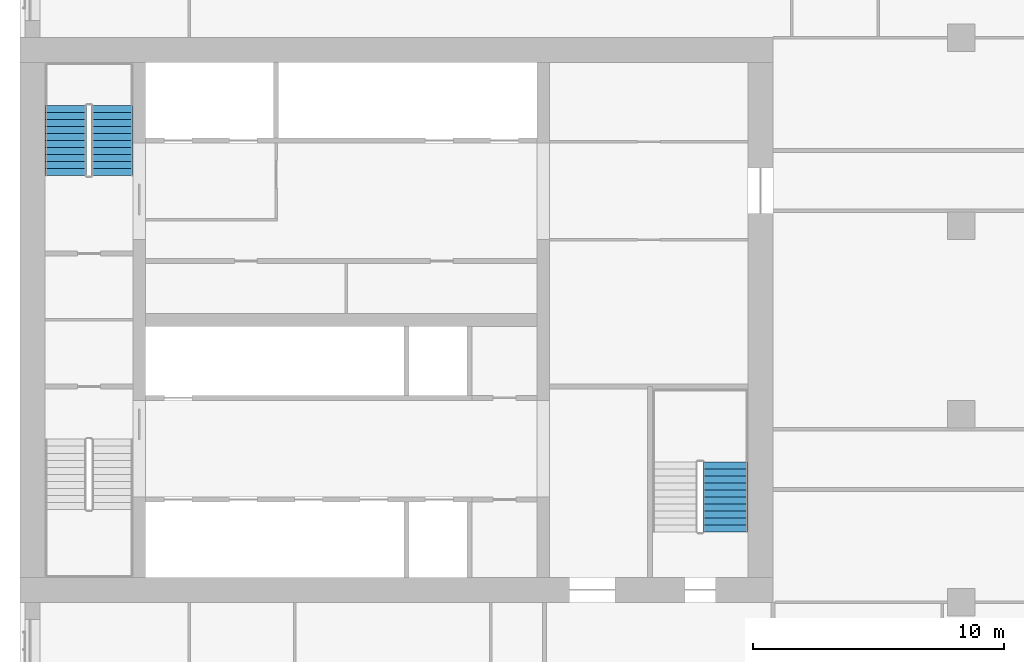
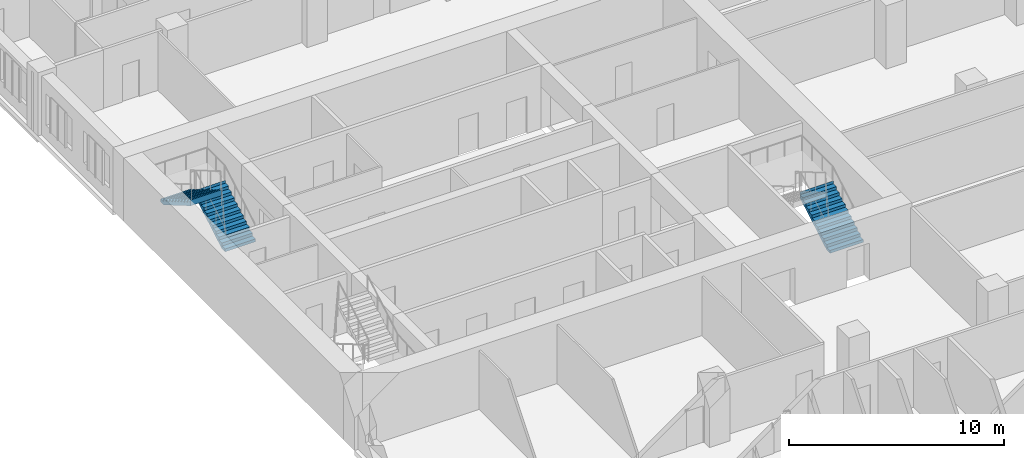
# One storey, part 13 of 14: 3 stair flights, 2 elements without a shape of their own.
"""IFC4 building model written with IfcOpenShell, lengths in metres."""

from ifc_helpers import new_model, si_unit, direction, frame, origin, place, context, subcontext, project, spatial, polyline, outline, extrude, material, type_object, element, aggregate, save


model = new_model("IFC4")

# Units and contexts
model_context = context("Model", 3, precision=1e-05, world=origin(), true_north=direction((0.0, 1.0)))
body_context = subcontext(model_context, "Body", "Model", "MODEL_VIEW")
ifc_project = project(units=[si_unit("LENGTHUNIT", "METRE"), si_unit("AREAUNIT", "SQUARE_METRE"), si_unit("VOLUMEUNIT", "CUBIC_METRE"), si_unit("PLANEANGLEUNIT", "RADIAN"), si_unit("MASSUNIT", "GRAM", prefix="KILO")], contexts=[model_context])

# Site, building, storey
site_placement = place(None, origin())
site = spatial("IfcSite", under=ifc_project, at=site_placement, CompositionType="ELEMENT")
building_placement = place(site_placement, origin())
building = spatial("IfcBuilding", under=site, at=building_placement, Name="Tamorin Gate", CompositionType="ELEMENT")
storey_placement = place(building_placement, frame((0.0, 0.0, 89.89990234375)))
storey = spatial("IfcBuildingStorey", under=building, at=storey_placement, Name="L21", CompositionType="ELEMENT", Elevation=89.89990234375)

# Stair, stair flights
ifc_material = material(Name="Concrete C40/50", Category="concrete")
stair_type = type_object("IfcStairType", Name="Exit stair", PredefinedType="HALF_TURN_STAIR", material=ifc_material)
stair_1_placement = place(storey_placement, origin())
stair_1 = element("IfcStair", 1, at=stair_1_placement, inside=storey, type_object=stair_type, Name="L21 stair ST2", PredefinedType="HALF_TURN_STAIR")
stair_flight_type = type_object("IfcStairFlightType", Name="Exit stair flight", PredefinedType="STRAIGHT", material=ifc_material)
stair_flight_1_placement = place(storey_placement, frame((33.675048828125, 77.0, 0.0), z_axis=(0.0, 0.0, 1.0), x_axis=(0.0, 1.0, 0.0)))
stair_flight_1 = element("IfcStairFlight", 2, at=stair_flight_1_placement, type_object=stair_flight_type, Name="ST2 flight 1", NumberOfRisers=11, NumberOfTreads=10, PredefinedType="STRAIGHT", RiserHeight=0.163636364, TreadLength=0.28, context=body_context, shape_type="SweptSolid", body=[
    extrude(outline(polyline([(-0.00048828125, 0.0), (-0.00048828125, 0.001708984375), (-0.00048828125, 0.003173828125), (-0.00048828125, 0.0048828125), (-0.00048828125, 0.006591796875), (-0.00048828125, 0.008056640625), (-0.00048828125, 0.009765625), (-0.00048828125, 0.01123046875), (-0.00048828125, 0.012939453125), (-0.00048828125, 0.0146484375), (-0.00048828125, 0.01611328125), (-0.00048828125, 0.017822265625), (-0.00048828125, 0.01953125), (-0.00048828125, 0.02099609375), (-0.00048828125, 0.022705078125), (-0.00048828125, 0.0244140625), (-0.00048828125, 0.02587890625), (-0.00048828125, 0.027587890625), (-0.00048828125, 0.029052734375), (-0.00048828125, 0.03076171875), (-0.00048828125, 0.032470703125), (-0.00048828125, 0.033935546875), (-0.00048828125, 0.03564453125), (-0.00048828125, 0.037353515625), (-0.00048828125, 0.038818359375), (-0.00048828125, 0.04052734375), (-0.00048828125, 0.042236328125), (-0.00048828125, 0.043701171875), (-0.00048828125, 0.04541015625), (-0.00048828125, 0.046875), (-0.00048828125, 0.048583984375), (-0.00048828125, 0.05029296875), (-0.00048828125, 0.0517578125), (-0.00048828125, 0.053466796875), (-0.00048828125, 0.05517578125), (-0.00048828125, 0.056640625), (-0.00048828125, 0.058349609375), (-0.00048828125, 0.06005859375), (-0.00048828125, 0.0615234375), (-0.00048828125, 0.063232421875), (-0.00048828125, 0.064697265625), (-0.00048828125, 0.06640625), (-0.00048828125, 0.068115234375), (-0.00048828125, 0.069580078125), (-0.00048828125, 0.0712890625), (-0.00048828125, 0.072998046875), (-0.00048828125, 0.074462890625), (-0.00048828125, 0.076171875), (-0.00048828125, 0.077880859375), (-0.00048828125, 0.079345703125), (-0.00048828125, 0.0810546875), (-0.00048828125, 0.08251953125), (-0.00048828125, 0.084228515625), (-0.00048828125, 0.0859375), (-0.00048828125, 0.08740234375), (-0.00048828125, 0.089111328125), (-0.00048828125, 0.0908203125), (-0.00048828125, 0.09228515625), (-0.00048828125, 0.093994140625), (-0.00048828125, 0.095703125), (-0.00048828125, 0.09716796875), (-0.00048828125, 0.098876953125), (-0.00048828125, 0.100341796875), (-0.00048828125, 0.10205078125), (-0.00048828125, 0.103759765625), (-0.00048828125, 0.105224609375), (-0.00048828125, 0.10693359375), (-0.00048828125, 0.108642578125), (-0.00048828125, 0.110107421875), (-0.00048828125, 0.11181640625), (-0.00048828125, 0.113525390625), (-0.00048828125, 0.114990234375), (-0.00048828125, 0.11669921875), (-0.00048828125, 0.1181640625), (-0.00048828125, 0.119873046875), (-0.00048828125, 0.12158203125), (-0.00048828125, 0.123046875), (-0.00048828125, 0.124755859375), (-0.00048828125, 0.12646484375), (-0.00048828125, 0.1279296875), (-0.00048828125, 0.129638671875), (-0.00048828125, 0.13134765625), (-0.00048828125, 0.1328125), (-0.00048828125, 0.134521484375), (-0.00048828125, 0.135986328125), (-0.00048828125, 0.1376953125), (-0.00048828125, 0.139404296875), (-0.00048828125, 0.140869140625), (-0.00048828125, 0.142578125), (-0.00048828125, 0.144287109375), (-0.00048828125, 0.145751953125), (-0.00048828125, 0.1474609375), (-0.00048828125, 0.149169921875), (-0.00048828125, 0.150634765625), (-0.00048828125, 0.15234375), (-0.00048828125, 0.15380859375), (-0.00048828125, 0.155517578125), (-0.00048828125, 0.1572265625), (-0.00048828125, 0.15869140625), (-0.00048828125, 0.160400390625), (-0.00048828125, 0.162109375), (-0.00048828125, 0.16357421875), (0.280029296875, 0.16357421875), (0.280029296875, 0.327392578125), (0.56005859375, 0.327392578125), (0.56005859375, 0.490966796875), (0.840087890625, 0.490966796875), (0.840087890625, 0.654541015625), (1.1201171875, 0.654541015625), (1.1201171875, 0.818115234375), (1.39990234375, 0.818115234375), (1.39990234375, 0.98193359375), (1.679931640625, 0.98193359375), (1.679931640625, 1.1455078125), (1.9599609375, 1.1455078125), (1.9599609375, 1.30908203125), (2.239990234375, 1.30908203125), (2.239990234375, 1.47265625), (2.52001953125, 1.47265625), (2.52001953125, 1.636474609375), (2.800048828125, 1.636474609375), (2.800048828125, 1.800048828125), (2.800537109375, 1.800048828125), (2.800537109375, 1.796630859375), (2.800537109375, 1.793212890625), (2.800537109375, 1.7900390625), (2.800537109375, 1.78662109375), (2.800537109375, 1.783203125), (2.800537109375, 1.780029296875), (2.800537109375, 1.776611328125), (2.800537109375, 1.773193359375), (2.800537109375, 1.77001953125), (2.800537109375, 1.7666015625), (2.800537109375, 1.76318359375), (2.800537109375, 1.760009765625), (2.800537109375, 1.756591796875), (2.800537109375, 1.753173828125), (2.800537109375, 1.75), (2.800537109375, 1.74658203125), (2.800537109375, 1.7431640625), (2.800537109375, 1.739990234375), (2.800537109375, 1.736572265625), (2.800537109375, 1.733154296875), (2.800537109375, 1.72998046875), (2.800537109375, 1.7265625), (2.800537109375, 1.72314453125), (2.800537109375, 1.719970703125), (2.800537109375, 1.716552734375), (2.800537109375, 1.713134765625), (2.800537109375, 1.7099609375), (2.800537109375, 1.70654296875), (2.800537109375, 1.703125), (2.800537109375, 1.69970703125), (2.800537109375, 1.696533203125), (2.800537109375, 1.693115234375), (2.800537109375, 1.689697265625), (2.800537109375, 1.6865234375), (2.800537109375, 1.68310546875), (2.800537109375, 1.6796875), (2.800537109375, 1.676513671875), (2.800537109375, 1.673095703125), (2.800537109375, 1.669677734375), (2.800537109375, 1.66650390625), (2.800537109375, 1.6630859375), (2.800537109375, 1.65966796875), (2.800537109375, 1.656494140625), (2.800537109375, 1.653076171875), (2.800537109375, 1.649658203125), (2.800537109375, 1.646484375), (2.800537109375, 1.64306640625), (2.800537109375, 1.6396484375), (2.800537109375, 1.636474609375), (2.800537109375, 1.633056640625), (2.800537109375, 1.629638671875), (2.800537109375, 1.62646484375), (2.800537109375, 1.623046875), (2.800537109375, 1.61962890625), (2.800537109375, 1.616455078125), (2.800537109375, 1.613037109375), (2.800537109375, 1.609619140625), (2.800537109375, 1.6064453125), (2.800537109375, 1.60302734375), (2.800537109375, 1.599609375), (2.800537109375, 1.59619140625), (2.800537109375, 1.593017578125), (2.800537109375, 1.589599609375), (2.800537109375, 1.586181640625), (2.800537109375, 1.5830078125), (2.800537109375, 1.57958984375), (2.800537109375, 1.576171875), (2.800537109375, 1.572998046875), (2.800537109375, 1.569580078125), (2.800537109375, 1.566162109375), (2.800537109375, 1.56298828125), (2.800537109375, 1.5595703125), (2.800537109375, 1.55615234375), (2.800537109375, 1.552978515625), (2.800537109375, 1.549560546875), (2.800537109375, 1.546142578125), (2.800537109375, 1.54296875), (2.800537109375, 1.53955078125), (2.800537109375, 1.5361328125), (2.800537109375, 1.532958984375), (2.800537109375, 1.529541015625), (2.800537109375, 1.526123046875), (2.800537109375, 1.52294921875), (2.800537109375, 1.51953125), (2.800537109375, 1.51611328125), (2.800537109375, 1.512939453125), (2.800537109375, 1.509521484375), (2.800537109375, 1.506103515625), (2.800537109375, 1.5029296875), (2.800537109375, 1.49951171875), (2.800537109375, 1.49609375), (2.800537109375, 1.49267578125), (2.800537109375, 1.489501953125), (2.800537109375, 1.486083984375), (2.800537109375, 1.482666015625), (2.800537109375, 1.4794921875), (2.800537109375, 1.47607421875), (2.800537109375, 1.47265625), (2.800537109375, 1.469482421875), (2.800537109375, 1.466064453125), (2.800537109375, 1.462646484375), (2.800048828125, 1.462646484375), (0.297119140625, 0.0), (-0.00048828125, 0.0)])), frame((0.0, 0.824951171875, 0.0), z_axis=(0.0, -1.0, 0.0), x_axis=(1.0, 0.0, 0.0)), (0.0, 0.0, 1.0), 1.64990234375),
])
stair_flight_2_placement = place(storey_placement, frame((31.824951171875, 79.800048828125, 1.800048828125), z_axis=(0.0, 0.0, 1.0), x_axis=(0.0, -1.0, 0.0)))
stair_flight_2 = element("IfcStairFlight", 3, at=stair_flight_2_placement, type_object=stair_flight_type, Name="ST2 flight 2", NumberOfRisers=11, NumberOfTreads=10, PredefinedType="STRAIGHT", RiserHeight=0.163636364, TreadLength=0.28, context=body_context, shape_type="SweptSolid", body=[
    extrude(outline(polyline([(-0.00048828125, 0.0), (-0.00048828125, 0.001708984375), (-0.00048828125, 0.003173828125), (-0.00048828125, 0.0048828125), (-0.00048828125, 0.006591796875), (-0.00048828125, 0.008056640625), (-0.00048828125, 0.009765625), (-0.00048828125, 0.01123046875), (-0.00048828125, 0.012939453125), (-0.00048828125, 0.0146484375), (-0.00048828125, 0.01611328125), (-0.00048828125, 0.017822265625), (-0.00048828125, 0.01953125), (-0.00048828125, 0.02099609375), (-0.00048828125, 0.022705078125), (-0.00048828125, 0.0244140625), (-0.00048828125, 0.02587890625), (-0.00048828125, 0.027587890625), (-0.00048828125, 0.029052734375), (-0.00048828125, 0.03076171875), (-0.00048828125, 0.032470703125), (-0.00048828125, 0.033935546875), (-0.00048828125, 0.03564453125), (-0.00048828125, 0.037353515625), (-0.00048828125, 0.038818359375), (-0.00048828125, 0.04052734375), (-0.00048828125, 0.042236328125), (-0.00048828125, 0.043701171875), (-0.00048828125, 0.04541015625), (-0.00048828125, 0.046875), (-0.00048828125, 0.048583984375), (-0.00048828125, 0.05029296875), (-0.00048828125, 0.0517578125), (-0.00048828125, 0.053466796875), (-0.00048828125, 0.05517578125), (-0.00048828125, 0.056640625), (-0.00048828125, 0.058349609375), (-0.00048828125, 0.06005859375), (-0.00048828125, 0.0615234375), (-0.00048828125, 0.063232421875), (-0.00048828125, 0.064697265625), (-0.00048828125, 0.06640625), (-0.00048828125, 0.068115234375), (-0.00048828125, 0.069580078125), (-0.00048828125, 0.0712890625), (-0.00048828125, 0.072998046875), (-0.00048828125, 0.074462890625), (-0.00048828125, 0.076171875), (-0.00048828125, 0.077880859375), (-0.00048828125, 0.079345703125), (-0.00048828125, 0.0810546875), (-0.00048828125, 0.08251953125), (-0.00048828125, 0.084228515625), (-0.00048828125, 0.0859375), (-0.00048828125, 0.08740234375), (-0.00048828125, 0.089111328125), (-0.00048828125, 0.0908203125), (-0.00048828125, 0.09228515625), (-0.00048828125, 0.093994140625), (-0.00048828125, 0.095703125), (-0.00048828125, 0.09716796875), (-0.00048828125, 0.098876953125), (-0.00048828125, 0.100341796875), (-0.00048828125, 0.10205078125), (-0.00048828125, 0.103759765625), (-0.00048828125, 0.105224609375), (-0.00048828125, 0.10693359375), (-0.00048828125, 0.108642578125), (-0.00048828125, 0.110107421875), (-0.00048828125, 0.11181640625), (-0.00048828125, 0.113525390625), (-0.00048828125, 0.114990234375), (-0.00048828125, 0.11669921875), (-0.00048828125, 0.1181640625), (-0.00048828125, 0.119873046875), (-0.00048828125, 0.12158203125), (-0.00048828125, 0.123046875), (-0.00048828125, 0.124755859375), (-0.00048828125, 0.12646484375), (-0.00048828125, 0.1279296875), (-0.00048828125, 0.129638671875), (-0.00048828125, 0.13134765625), (-0.00048828125, 0.1328125), (-0.00048828125, 0.134521484375), (-0.00048828125, 0.135986328125), (-0.00048828125, 0.1376953125), (-0.00048828125, 0.139404296875), (-0.00048828125, 0.140869140625), (-0.00048828125, 0.142578125), (-0.00048828125, 0.144287109375), (-0.00048828125, 0.145751953125), (-0.00048828125, 0.1474609375), (-0.00048828125, 0.149169921875), (-0.00048828125, 0.150634765625), (-0.00048828125, 0.15234375), (-0.00048828125, 0.15380859375), (-0.00048828125, 0.155517578125), (-0.00048828125, 0.1572265625), (-0.00048828125, 0.15869140625), (-0.00048828125, 0.160400390625), (-0.00048828125, 0.162109375), (-0.00048828125, 0.16357421875), (0.280029296875, 0.16357421875), (0.280029296875, 0.327392578125), (0.56005859375, 0.327392578125), (0.56005859375, 0.490966796875), (0.840087890625, 0.490966796875), (0.840087890625, 0.654541015625), (1.1201171875, 0.654541015625), (1.1201171875, 0.818115234375), (1.39990234375, 0.818115234375), (1.39990234375, 0.98193359375), (1.679931640625, 0.98193359375), (1.679931640625, 1.1455078125), (1.9599609375, 1.1455078125), (1.9599609375, 1.30908203125), (2.239990234375, 1.30908203125), (2.239990234375, 1.47265625), (2.52001953125, 1.47265625), (2.52001953125, 1.636474609375), (2.800048828125, 1.636474609375), (2.800048828125, 1.800048828125), (2.800537109375, 1.800048828125), (2.800537109375, 1.796630859375), (2.800537109375, 1.793212890625), (2.800537109375, 1.7900390625), (2.800537109375, 1.78662109375), (2.800537109375, 1.783203125), (2.800537109375, 1.780029296875), (2.800537109375, 1.776611328125), (2.800537109375, 1.773193359375), (2.800537109375, 1.77001953125), (2.800537109375, 1.7666015625), (2.800537109375, 1.76318359375), (2.800537109375, 1.760009765625), (2.800537109375, 1.756591796875), (2.800537109375, 1.753173828125), (2.800537109375, 1.75), (2.800537109375, 1.74658203125), (2.800537109375, 1.7431640625), (2.800537109375, 1.739990234375), (2.800537109375, 1.736572265625), (2.800537109375, 1.733154296875), (2.800537109375, 1.72998046875), (2.800537109375, 1.7265625), (2.800537109375, 1.72314453125), (2.800537109375, 1.719970703125), (2.800537109375, 1.716552734375), (2.800537109375, 1.713134765625), (2.800537109375, 1.7099609375), (2.800537109375, 1.70654296875), (2.800537109375, 1.703125), (2.800537109375, 1.69970703125), (2.800537109375, 1.696533203125), (2.800537109375, 1.693115234375), (2.800537109375, 1.689697265625), (2.800537109375, 1.6865234375), (2.800537109375, 1.68310546875), (2.800537109375, 1.6796875), (2.800537109375, 1.676513671875), (2.800537109375, 1.673095703125), (2.800537109375, 1.669677734375), (2.800537109375, 1.66650390625), (2.800537109375, 1.6630859375), (2.800537109375, 1.65966796875), (2.800537109375, 1.656494140625), (2.800537109375, 1.653076171875), (2.800537109375, 1.649658203125), (2.800537109375, 1.646484375), (2.800537109375, 1.64306640625), (2.800537109375, 1.6396484375), (2.800537109375, 1.636474609375), (2.800537109375, 1.633056640625), (2.800537109375, 1.629638671875), (2.800537109375, 1.62646484375), (2.800537109375, 1.623046875), (2.800537109375, 1.61962890625), (2.800537109375, 1.616455078125), (2.800537109375, 1.613037109375), (2.800537109375, 1.609619140625), (2.800537109375, 1.6064453125), (2.800537109375, 1.60302734375), (2.800537109375, 1.599609375), (2.800537109375, 1.59619140625), (2.800537109375, 1.593017578125), (2.800537109375, 1.589599609375), (2.800537109375, 1.586181640625), (2.800537109375, 1.5830078125), (2.800537109375, 1.57958984375), (2.800537109375, 1.576171875), (2.800537109375, 1.572998046875), (2.800537109375, 1.569580078125), (2.800537109375, 1.566162109375), (2.800537109375, 1.56298828125), (2.800537109375, 1.5595703125), (2.800537109375, 1.55615234375), (2.800537109375, 1.552978515625), (2.800537109375, 1.549560546875), (2.800537109375, 1.546142578125), (2.800537109375, 1.54296875), (2.800537109375, 1.53955078125), (2.800537109375, 1.5361328125), (2.800537109375, 1.532958984375), (2.800537109375, 1.529541015625), (2.800537109375, 1.526123046875), (2.800537109375, 1.52294921875), (2.800537109375, 1.51953125), (2.800537109375, 1.51611328125), (2.800537109375, 1.512939453125), (2.800537109375, 1.509521484375), (2.800537109375, 1.506103515625), (2.800537109375, 1.5029296875), (2.800537109375, 1.49951171875), (2.800537109375, 1.49609375), (2.800537109375, 1.49267578125), (2.800537109375, 1.489501953125), (2.800537109375, 1.486083984375), (2.800537109375, 1.482666015625), (2.800537109375, 1.4794921875), (2.800537109375, 1.47607421875), (2.800537109375, 1.47265625), (2.800537109375, 1.469482421875), (2.800537109375, 1.466064453125), (2.800537109375, 1.462646484375), (2.800048828125, 1.462646484375), (0.297119140625, 0.0), (-0.00048828125, 0.0)])), frame((0.0, 0.824951171875, 0.0), z_axis=(0.0, -1.0, 0.0), x_axis=(1.0, 0.0, 0.0)), (0.0, 0.0, 1.0), 1.64990234375),
])
aggregate(stair_1, [stair_flight_1, stair_flight_2])

# Stair, stair flight
stair_2_placement = place(storey_placement, origin())
stair_2 = element("IfcStair", 4, at=stair_2_placement, inside=storey, type_object=stair_type, Name="L21 stair ST3", PredefinedType="HALF_TURN_STAIR")
stair_flight_3_placement = place(storey_placement, frame((58.10009765625, 62.800048828125, 0.0), z_axis=(0.0, 0.0, 1.0), x_axis=(0.0, 1.0, 0.0)))
stair_flight_3 = element("IfcStairFlight", 5, at=stair_flight_3_placement, type_object=stair_flight_type, Name="ST3 flight 1", NumberOfRisers=11, NumberOfTreads=10, PredefinedType="STRAIGHT", RiserHeight=0.163636364, TreadLength=0.28, context=body_context, shape_type="SweptSolid", body=[
    extrude(outline(polyline([(-0.00048828125, 0.0), (-0.00048828125, 0.001708984375), (-0.00048828125, 0.003173828125), (-0.00048828125, 0.0048828125), (-0.00048828125, 0.006591796875), (-0.00048828125, 0.008056640625), (-0.00048828125, 0.009765625), (-0.00048828125, 0.01123046875), (-0.00048828125, 0.012939453125), (-0.00048828125, 0.0146484375), (-0.00048828125, 0.01611328125), (-0.00048828125, 0.017822265625), (-0.00048828125, 0.01953125), (-0.00048828125, 0.02099609375), (-0.00048828125, 0.022705078125), (-0.00048828125, 0.0244140625), (-0.00048828125, 0.02587890625), (-0.00048828125, 0.027587890625), (-0.00048828125, 0.029052734375), (-0.00048828125, 0.03076171875), (-0.00048828125, 0.032470703125), (-0.00048828125, 0.033935546875), (-0.00048828125, 0.03564453125), (-0.00048828125, 0.037353515625), (-0.00048828125, 0.038818359375), (-0.00048828125, 0.04052734375), (-0.00048828125, 0.042236328125), (-0.00048828125, 0.043701171875), (-0.00048828125, 0.04541015625), (-0.00048828125, 0.046875), (-0.00048828125, 0.048583984375), (-0.00048828125, 0.05029296875), (-0.00048828125, 0.0517578125), (-0.00048828125, 0.053466796875), (-0.00048828125, 0.05517578125), (-0.00048828125, 0.056640625), (-0.00048828125, 0.058349609375), (-0.00048828125, 0.06005859375), (-0.00048828125, 0.0615234375), (-0.00048828125, 0.063232421875), (-0.00048828125, 0.064697265625), (-0.00048828125, 0.06640625), (-0.00048828125, 0.068115234375), (-0.00048828125, 0.069580078125), (-0.00048828125, 0.0712890625), (-0.00048828125, 0.072998046875), (-0.00048828125, 0.074462890625), (-0.00048828125, 0.076171875), (-0.00048828125, 0.077880859375), (-0.00048828125, 0.079345703125), (-0.00048828125, 0.0810546875), (-0.00048828125, 0.08251953125), (-0.00048828125, 0.084228515625), (-0.00048828125, 0.0859375), (-0.00048828125, 0.08740234375), (-0.00048828125, 0.089111328125), (-0.00048828125, 0.0908203125), (-0.00048828125, 0.09228515625), (-0.00048828125, 0.093994140625), (-0.00048828125, 0.095703125), (-0.00048828125, 0.09716796875), (-0.00048828125, 0.098876953125), (-0.00048828125, 0.100341796875), (-0.00048828125, 0.10205078125), (-0.00048828125, 0.103759765625), (-0.00048828125, 0.105224609375), (-0.00048828125, 0.10693359375), (-0.00048828125, 0.108642578125), (-0.00048828125, 0.110107421875), (-0.00048828125, 0.11181640625), (-0.00048828125, 0.113525390625), (-0.00048828125, 0.114990234375), (-0.00048828125, 0.11669921875), (-0.00048828125, 0.1181640625), (-0.00048828125, 0.119873046875), (-0.00048828125, 0.12158203125), (-0.00048828125, 0.123046875), (-0.00048828125, 0.124755859375), (-0.00048828125, 0.12646484375), (-0.00048828125, 0.1279296875), (-0.00048828125, 0.129638671875), (-0.00048828125, 0.13134765625), (-0.00048828125, 0.1328125), (-0.00048828125, 0.134521484375), (-0.00048828125, 0.135986328125), (-0.00048828125, 0.1376953125), (-0.00048828125, 0.139404296875), (-0.00048828125, 0.140869140625), (-0.00048828125, 0.142578125), (-0.00048828125, 0.144287109375), (-0.00048828125, 0.145751953125), (-0.00048828125, 0.1474609375), (-0.00048828125, 0.149169921875), (-0.00048828125, 0.150634765625), (-0.00048828125, 0.15234375), (-0.00048828125, 0.15380859375), (-0.00048828125, 0.155517578125), (-0.00048828125, 0.1572265625), (-0.00048828125, 0.15869140625), (-0.00048828125, 0.160400390625), (-0.00048828125, 0.162109375), (-0.00048828125, 0.16357421875), (0.280029296875, 0.16357421875), (0.280029296875, 0.327392578125), (0.56005859375, 0.327392578125), (0.56005859375, 0.490966796875), (0.840087890625, 0.490966796875), (0.840087890625, 0.654541015625), (1.1201171875, 0.654541015625), (1.1201171875, 0.818115234375), (1.39990234375, 0.818115234375), (1.39990234375, 0.98193359375), (1.679931640625, 0.98193359375), (1.679931640625, 1.1455078125), (1.9599609375, 1.1455078125), (1.9599609375, 1.30908203125), (2.239990234375, 1.30908203125), (2.239990234375, 1.47265625), (2.52001953125, 1.47265625), (2.52001953125, 1.636474609375), (2.800048828125, 1.636474609375), (2.800048828125, 1.800048828125), (2.800537109375, 1.800048828125), (2.800537109375, 1.796630859375), (2.800537109375, 1.793212890625), (2.800537109375, 1.7900390625), (2.800537109375, 1.78662109375), (2.800537109375, 1.783203125), (2.800537109375, 1.780029296875), (2.800537109375, 1.776611328125), (2.800537109375, 1.773193359375), (2.800537109375, 1.77001953125), (2.800537109375, 1.7666015625), (2.800537109375, 1.76318359375), (2.800537109375, 1.760009765625), (2.800537109375, 1.756591796875), (2.800537109375, 1.753173828125), (2.800537109375, 1.75), (2.800537109375, 1.74658203125), (2.800537109375, 1.7431640625), (2.800537109375, 1.739990234375), (2.800537109375, 1.736572265625), (2.800537109375, 1.733154296875), (2.800537109375, 1.72998046875), (2.800537109375, 1.7265625), (2.800537109375, 1.72314453125), (2.800537109375, 1.719970703125), (2.800537109375, 1.716552734375), (2.800537109375, 1.713134765625), (2.800537109375, 1.7099609375), (2.800537109375, 1.70654296875), (2.800537109375, 1.703125), (2.800537109375, 1.69970703125), (2.800537109375, 1.696533203125), (2.800537109375, 1.693115234375), (2.800537109375, 1.689697265625), (2.800537109375, 1.6865234375), (2.800537109375, 1.68310546875), (2.800537109375, 1.6796875), (2.800537109375, 1.676513671875), (2.800537109375, 1.673095703125), (2.800537109375, 1.669677734375), (2.800537109375, 1.66650390625), (2.800537109375, 1.6630859375), (2.800537109375, 1.65966796875), (2.800537109375, 1.656494140625), (2.800537109375, 1.653076171875), (2.800537109375, 1.649658203125), (2.800537109375, 1.646484375), (2.800537109375, 1.64306640625), (2.800537109375, 1.6396484375), (2.800537109375, 1.636474609375), (2.800537109375, 1.633056640625), (2.800537109375, 1.629638671875), (2.800537109375, 1.62646484375), (2.800537109375, 1.623046875), (2.800537109375, 1.61962890625), (2.800537109375, 1.616455078125), (2.800537109375, 1.613037109375), (2.800537109375, 1.609619140625), (2.800537109375, 1.6064453125), (2.800537109375, 1.60302734375), (2.800537109375, 1.599609375), (2.800537109375, 1.59619140625), (2.800537109375, 1.593017578125), (2.800537109375, 1.589599609375), (2.800537109375, 1.586181640625), (2.800537109375, 1.5830078125), (2.800537109375, 1.57958984375), (2.800537109375, 1.576171875), (2.800537109375, 1.572998046875), (2.800537109375, 1.569580078125), (2.800537109375, 1.566162109375), (2.800537109375, 1.56298828125), (2.800537109375, 1.5595703125), (2.800537109375, 1.55615234375), (2.800537109375, 1.552978515625), (2.800537109375, 1.549560546875), (2.800537109375, 1.546142578125), (2.800537109375, 1.54296875), (2.800537109375, 1.53955078125), (2.800537109375, 1.5361328125), (2.800537109375, 1.532958984375), (2.800537109375, 1.529541015625), (2.800537109375, 1.526123046875), (2.800537109375, 1.52294921875), (2.800537109375, 1.51953125), (2.800537109375, 1.51611328125), (2.800537109375, 1.512939453125), (2.800537109375, 1.509521484375), (2.800537109375, 1.506103515625), (2.800537109375, 1.5029296875), (2.800537109375, 1.49951171875), (2.800537109375, 1.49609375), (2.800537109375, 1.49267578125), (2.800537109375, 1.489501953125), (2.800537109375, 1.486083984375), (2.800537109375, 1.482666015625), (2.800537109375, 1.4794921875), (2.800537109375, 1.47607421875), (2.800537109375, 1.47265625), (2.800537109375, 1.469482421875), (2.800537109375, 1.466064453125), (2.800537109375, 1.462646484375), (2.800048828125, 1.462646484375), (0.297119140625, 0.0), (-0.00048828125, 0.0)])), frame((0.0, 0.89990234375, 0.0), z_axis=(0.0, -1.0, 0.0), x_axis=(1.0, 0.0, 0.0)), (0.0, 0.0, 1.0), 1.800048828125),
])
aggregate(stair_2, [stair_flight_3])

save(model, "model.ifc")
